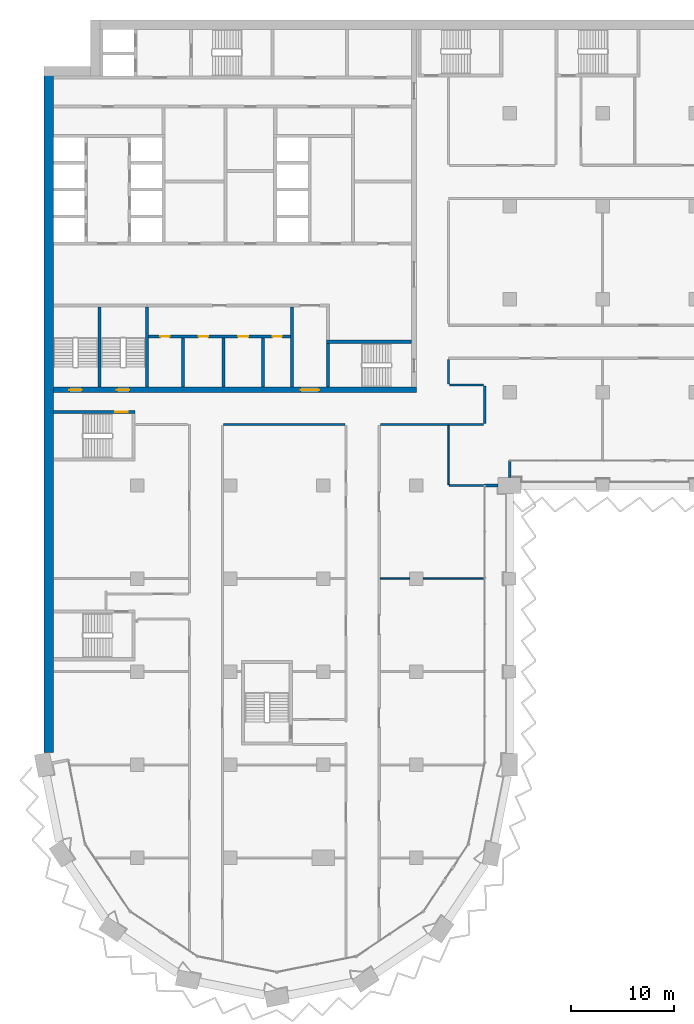
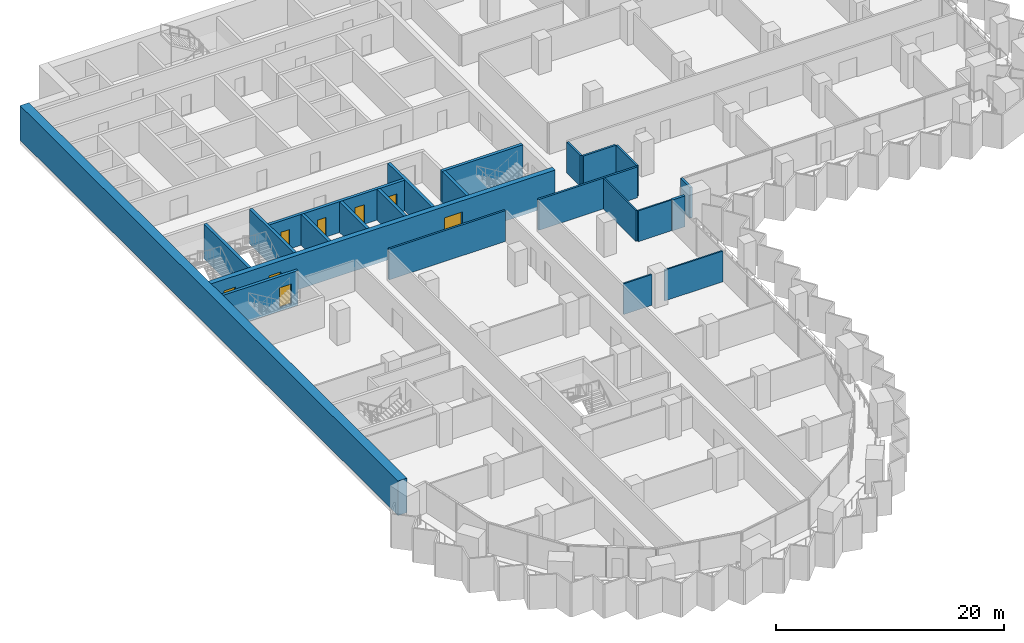
# One storey, part 11 of 22: 23 walls, 8 doors, 8 openings.
"""IFC4 building model written with IfcOpenShell, lengths in metres."""

from ifc_helpers import new_model, si_unit, direction, frame, frame_2d, origin, place, context, subcontext, project, spatial, rectangle, extrude, material, layer, layer_set, type_object, element, fill, save


model = new_model("IFC4")

# Units and contexts
model_context = context("Model", 3, precision=1e-05, world=origin(), true_north=direction((0.0, 1.0)))
body_context = subcontext(model_context, "Body", "Model", "MODEL_VIEW")
ifc_project = project(units=[si_unit("LENGTHUNIT", "METRE"), si_unit("AREAUNIT", "SQUARE_METRE"), si_unit("VOLUMEUNIT", "CUBIC_METRE"), si_unit("PLANEANGLEUNIT", "RADIAN"), si_unit("MASSUNIT", "GRAM", prefix="KILO")], contexts=[model_context])

# Site, building, storey
site_placement = place(None, origin())
site = spatial("IfcSite", under=ifc_project, at=site_placement, CompositionType="ELEMENT")
building_placement = place(site_placement, origin())
building = spatial("IfcBuilding", under=site, at=building_placement, Name="Hunhe Ridgeline Campus", CompositionType="ELEMENT")
storey_placement = place(building_placement, frame((0.0, 0.0, 114.39990234375)))
storey = spatial("IfcBuildingStorey", under=building, at=storey_placement, Name="L28", CompositionType="ELEMENT", Elevation=114.39990234375)

# Wall, openings, doors
ifc_material_1 = material(Name="Masonry concrete blockwork", Category="masonry")
ifc_layer_1 = layer(ifc_material_1, 0.300048828125)
ifc_layer_set_1 = layer_set([ifc_layer_1], Name="Core room partition 300 concrete block")
wall_type_1 = type_object("IfcWallType", Name="Core room partition 300 concrete block", PredefinedType="PARTITIONING", material=ifc_layer_set_1)
wall_1_placement = place(storey_placement, frame((10.10009765625, 68.39990234375, 0.0), z_axis=(0.0, 0.0, 1.0), x_axis=(1.0, 0.0, 0.0)))
wall_1 = element("IfcWall", 1, at=wall_1_placement, inside=storey, type_object=wall_type_1, Name="L28 core partition 9", PredefinedType="PARTITIONING", context=body_context, shape_type="SweptSolid", body=[
    extrude(rectangle(XDim=13.699951171875, YDim=0.300048828125, at=frame_2d((6.85009765625, 0.0))), origin(), (0.0, 0.0, 1.0), 3.300048828125),
])
opening_1_placement = place(wall_1_placement, frame((1.14990234375, 0.0, 0.0)))
opening_1 = element("IfcOpeningElement", 2, at=opening_1_placement, cuts=wall_1, Name="Opening CD8", PredefinedType="OPENING", context=body_context, shape_type="SweptSolid", body=[
    extrude(rectangle(XDim=0.89990234375, YDim=2.10009765625, at=frame_2d((0.449951171875, 1.050048828125))), frame((0.0, 0.14990234375, 0.0), z_axis=(0.0, -1.0, 0.0), x_axis=(1.0, 0.0, 0.0)), (0.0, 0.0, 1.0), 0.300048828125),
])
opening_2_placement = place(wall_1_placement, frame((4.85009765625, 0.0, 0.0)))
opening_2 = element("IfcOpeningElement", 3, at=opening_2_placement, cuts=wall_1, Name="Opening CD9", PredefinedType="OPENING", context=body_context, shape_type="SweptSolid", body=[
    extrude(rectangle(XDim=0.89990234375, YDim=2.10009765625, at=frame_2d((0.449951171875, 1.050048828125))), frame((0.0, 0.14990234375, 0.0), z_axis=(0.0, -1.0, 0.0), x_axis=(1.0, 0.0, 0.0)), (0.0, 0.0, 1.0), 0.300048828125),
])
opening_3_placement = place(wall_1_placement, frame((8.64990234375, 0.0, 0.0)))
opening_3 = element("IfcOpeningElement", 4, at=opening_3_placement, cuts=wall_1, Name="Opening CD10", PredefinedType="OPENING", context=body_context, shape_type="SweptSolid", body=[
    extrude(rectangle(XDim=1.0, YDim=2.10009765625, at=frame_2d((0.5, 1.050048828125))), frame((0.0, 0.14990234375, 0.0), z_axis=(0.0, -1.0, 0.0), x_axis=(1.0, 0.0, 0.0)), (0.0, 0.0, 1.0), 0.300048828125),
])
opening_4_placement = place(wall_1_placement, frame((12.0, 0.0, 0.0)))
opening_4 = element("IfcOpeningElement", 5, at=opening_4_placement, cuts=wall_1, Name="Opening CD11", PredefinedType="OPENING", context=body_context, shape_type="SweptSolid", body=[
    extrude(rectangle(XDim=0.89990234375, YDim=2.10009765625, at=frame_2d((0.449951171875, 1.050048828125))), frame((0.0, 0.14990234375, 0.0), z_axis=(0.0, -1.0, 0.0), x_axis=(1.0, 0.0, 0.0)), (0.0, 0.0, 1.0), 0.300048828125),
])
ifc_material_2 = material(Name="Solid core timber door leaf", Category="wood")
door_type_1 = type_object("IfcDoorType", Name="Timber door 1000x2100", OperationType="SINGLE_SWING_LEFT", PredefinedType="DOOR", material=ifc_material_2)
door_1_placement = place(opening_3_placement, frame((1.0, 0.0, 0.0), z_axis=(0.0, 0.0, 1.0), x_axis=(-1.0, 0.0, 0.0)))
door_1 = element("IfcDoor", 6, at=door_1_placement, inside=storey, type_object=door_type_1, Name="L28 door WC3", OperationType="SINGLE_SWING_RIGHT", OverallHeight=2.10009765625, OverallWidth=1.0, PredefinedType="DOOR", context=body_context, shape_type="SweptSolid", body=[
    extrude(rectangle(XDim=1.0, YDim=2.10009765625, at=frame_2d((0.5, 1.050048828125))), frame((0.0, 0.02490234375, 0.0), z_axis=(0.0, -1.0, 0.0), x_axis=(1.0, 0.0, 0.0)), (0.0, 0.0, 1.0), 0.050048828125),
])
fill(opening_3, door_1)
door_type_2 = type_object("IfcDoorType", Name="Timber door 900x2100", OperationType="SINGLE_SWING_LEFT", PredefinedType="DOOR", material=ifc_material_2)
door_2_placement = place(opening_1_placement, frame((0.89990234375, 0.0, 0.0), z_axis=(0.0, 0.0, 1.0), x_axis=(-1.0, 0.0, 0.0)))
door_2 = element("IfcDoor", 7, at=door_2_placement, inside=storey, type_object=door_type_2, Name="L28 door WC1", OperationType="SINGLE_SWING_RIGHT", OverallHeight=2.10009765625, OverallWidth=0.89990234375, PredefinedType="DOOR", context=body_context, shape_type="SweptSolid", body=[
    extrude(rectangle(XDim=0.89990234375, YDim=2.10009765625, at=frame_2d((0.449951171875, 1.050048828125))), frame((0.0, 0.02490234375, 0.0), z_axis=(0.0, -1.0, 0.0), x_axis=(1.0, 0.0, 0.0)), (0.0, 0.0, 1.0), 0.050048828125),
])
fill(opening_1, door_2)
door_3_placement = place(opening_2_placement, frame((0.89990234375, 0.0, 0.0), z_axis=(0.0, 0.0, 1.0), x_axis=(-1.0, 0.0, 0.0)))
door_3 = element("IfcDoor", 8, at=door_3_placement, inside=storey, type_object=door_type_2, Name="L28 door WC2", OperationType="SINGLE_SWING_LEFT", OverallHeight=2.10009765625, OverallWidth=0.89990234375, PredefinedType="DOOR", context=body_context, shape_type="SweptSolid", body=[
    extrude(rectangle(XDim=0.89990234375, YDim=2.10009765625, at=frame_2d((0.449951171875, 1.050048828125))), frame((0.0, 0.02490234375, 0.0), z_axis=(0.0, -1.0, 0.0), x_axis=(1.0, 0.0, 0.0)), (0.0, 0.0, 1.0), 0.050048828125),
])
fill(opening_2, door_3)
door_4_placement = place(opening_4_placement, frame((0.89990234375, 0.0, 0.0), z_axis=(0.0, 0.0, 1.0), x_axis=(-1.0, 0.0, 0.0)))
door_4 = element("IfcDoor", 9, at=door_4_placement, inside=storey, type_object=door_type_2, Name="L28 door WC4", OperationType="SINGLE_SWING_LEFT", OverallHeight=2.10009765625, OverallWidth=0.89990234375, PredefinedType="DOOR", context=body_context, shape_type="SweptSolid", body=[
    extrude(rectangle(XDim=0.89990234375, YDim=2.10009765625, at=frame_2d((0.449951171875, 1.050048828125))), frame((0.0, 0.02490234375, 0.0), z_axis=(0.0, -1.0, 0.0), x_axis=(1.0, 0.0, 0.0)), (0.0, 0.0, 1.0), 0.050048828125),
])
fill(opening_4, door_4)

# Walls
for number, where, z_axis, x_axis, name in (
    (10, (13.449951171875, 63.5, 0.0), (0.0, 0.0, 1.0), (0.0, 1.0, 0.0), "L28 core partition 44"),
    (11, (17.35009765625, 63.5, 0.0), (0.0, 0.0, 1.0), (0.0, 1.0, 0.0), "L28 core partition 46"),
    (12, (21.14990234375, 63.5, 0.0), (0.0, 0.0, 1.0), (0.0, 1.0, 0.0), "L28 core partition 49"),
):
    element("IfcWall", number, at=place(storey_placement, frame(where, z_axis=z_axis, x_axis=x_axis)), inside=storey, type_object=wall_type_1, Name=name, PredefinedType="PARTITIONING", context=body_context, shape_type="SweptSolid", body=[
        extrude(rectangle(XDim=4.75, YDim=0.300048828125, at=frame_2d((2.375, 0.0))), origin(), (0.0, 0.0, 1.0), 3.300048828125),
    ])
wall_2_placement = place(storey_placement, frame((23.949951171875, 63.5, 0.0), z_axis=(0.0, 0.0, 1.0), x_axis=(0.0, 1.0, 0.0)))
element("IfcWall", 13, at=wall_2_placement, inside=storey, type_object=wall_type_1, Name="L28 core partition 54", PredefinedType="PARTITIONING", context=body_context, shape_type="SweptSolid", body=[
    extrude(rectangle(XDim=7.75, YDim=0.300048828125, at=frame_2d((3.875, 0.0))), origin(), (0.0, 0.0, 1.0), 3.300048828125),
])

# Wall, openings, doors
ifc_material_3 = material(Name="Concrete C80", Category="concrete")
ifc_layer_2 = layer(ifc_material_3, 0.5)
ifc_layer_set_2 = layer_set([ifc_layer_2], Name="Core wall 500 reinforced concrete C80")
wall_type_2 = type_object("IfcWallType", Name="Core wall 500 reinforced concrete C80", PredefinedType="SOLIDWALL", material=ifc_layer_set_2)
wall_3_placement = place(storey_placement, frame((0.89990234375, 63.25, -0.39990234375), z_axis=(0.0, 0.0, 1.0), x_axis=(1.0, 0.0, 0.0)))
wall_3 = element("IfcWall", 14, at=wall_3_placement, inside=storey, type_object=wall_type_2, Name="L28 core wall 7", PredefinedType="SOLIDWALL", context=body_context, shape_type="SweptSolid", body=[
    extrude(rectangle(XDim=35.10009765625, YDim=0.5, at=frame_2d((17.550048828125, 0.0))), origin(), (0.0, 0.0, 1.0), 3.699951171875),
])
opening_5_placement = place(wall_3_placement, frame((23.89990234375, 0.0, 0.39990234375)))
opening_5 = element("IfcOpeningElement", 15, at=opening_5_placement, cuts=wall_3, Name="Opening CD6", PredefinedType="OPENING", context=body_context, shape_type="SweptSolid", body=[
    extrude(rectangle(XDim=1.800048828125, YDim=2.10009765625, at=frame_2d((0.89990234375, 1.050048828125))), frame((0.0, 0.25, 0.0), z_axis=(0.0, -1.0, 0.0), x_axis=(1.0, 0.0, 0.0)), (0.0, 0.0, 1.0), 0.5),
])
opening_6_placement = place(wall_3_placement, frame((1.550048828125, 0.0, 0.39990234375)))
opening_6 = element("IfcOpeningElement", 16, at=opening_6_placement, cuts=wall_3, Name="Opening CD13", PredefinedType="OPENING", context=body_context, shape_type="SweptSolid", body=[
    extrude(rectangle(XDim=1.199951171875, YDim=2.10009765625, at=frame_2d((0.60009765625, 1.050048828125))), frame((0.0, 0.25, 0.0), z_axis=(0.0, -1.0, 0.0), x_axis=(1.0, 0.0, 0.0)), (0.0, 0.0, 1.0), 0.5),
])
opening_7_placement = place(wall_3_placement, frame((6.14990234375, 0.0, 0.39990234375)))
opening_7 = element("IfcOpeningElement", 17, at=opening_7_placement, cuts=wall_3, Name="Opening CD14", PredefinedType="OPENING", context=body_context, shape_type="SweptSolid", body=[
    extrude(rectangle(XDim=1.199951171875, YDim=2.10009765625, at=frame_2d((0.60009765625, 1.050048828125))), frame((0.0, 0.25, 0.0), z_axis=(0.0, -1.0, 0.0), x_axis=(1.0, 0.0, 0.0)), (0.0, 0.0, 1.0), 0.5),
])
ifc_material_4 = material(Name="Anodised aluminium and glass", Category="aluminium")
door_type_3 = type_object("IfcDoorType", Name="Glazed double door 1800x2100", OperationType="DOUBLE_DOOR_SINGLE_SWING", PredefinedType="DOOR", material=ifc_material_4)
door_5_placement = place(opening_5_placement, frame((1.800048828125, 0.0, 0.0), z_axis=(0.0, 0.0, 1.0), x_axis=(-1.0, 0.0, 0.0)))
door_5 = element("IfcDoor", 18, at=door_5_placement, inside=storey, type_object=door_type_3, Name="L28 door VEST-FLOOR", OperationType="DOUBLE_DOOR_SINGLE_SWING", OverallHeight=2.10009765625, OverallWidth=1.800048828125, PredefinedType="DOOR", context=body_context, shape_type="SweptSolid", body=[
    extrude(rectangle(XDim=1.800048828125, YDim=2.10009765625, at=frame_2d((0.89990234375, 1.050048828125))), frame((0.0, 0.02490234375, 0.0), z_axis=(0.0, -1.0, 0.0), x_axis=(1.0, 0.0, 0.0)), (0.0, 0.0, 1.0), 0.050048828125),
])
fill(opening_5, door_5)
ifc_material_5 = material(Name="Hollow metal fire door leaf")
door_type_4 = type_object("IfcDoorType", Name="Stair door 1200x2100 FD60", OperationType="SINGLE_SWING_LEFT", PredefinedType="DOOR", material=ifc_material_5)
door_6_placement = place(opening_6_placement, frame((1.199951171875, 0.0, 0.0), z_axis=(0.0, 0.0, 1.0), x_axis=(-1.0, 0.0, 0.0)))
door_6 = element("IfcDoor", 19, at=door_6_placement, inside=storey, type_object=door_type_4, Name="L28 door S3", OperationType="SINGLE_SWING_RIGHT", OverallHeight=2.10009765625, OverallWidth=1.199951171875, PredefinedType="DOOR", context=body_context, shape_type="SweptSolid", body=[
    extrude(rectangle(XDim=1.199951171875, YDim=2.10009765625, at=frame_2d((0.60009765625, 1.050048828125))), frame((0.0, 0.02490234375, 0.0), z_axis=(0.0, -1.0, 0.0), x_axis=(1.0, 0.0, 0.0)), (0.0, 0.0, 1.0), 0.050048828125),
])
fill(opening_6, door_6)
door_7_placement = place(opening_7_placement, frame((1.199951171875, 0.0, 0.0), z_axis=(0.0, 0.0, 1.0), x_axis=(-1.0, 0.0, 0.0)))
door_7 = element("IfcDoor", 20, at=door_7_placement, inside=storey, type_object=door_type_4, Name="L28 door S4", OperationType="SINGLE_SWING_LEFT", OverallHeight=2.10009765625, OverallWidth=1.199951171875, PredefinedType="DOOR", context=body_context, shape_type="SweptSolid", body=[
    extrude(rectangle(XDim=1.199951171875, YDim=2.10009765625, at=frame_2d((0.60009765625, 1.050048828125))), frame((0.0, 0.02490234375, 0.0), z_axis=(0.0, -1.0, 0.0), x_axis=(1.0, 0.0, 0.0)), (0.0, 0.0, 1.0), 0.050048828125),
])
fill(opening_7, door_7)

# Walls
ifc_material_6 = material(Name="Concrete C30", Category="concrete")
ifc_layer_3 = layer(ifc_material_6, 0.25)
ifc_layer_set_3 = layer_set([ifc_layer_3], Name="Corner return wall 250 Concrete C30")
wall_type_3 = type_object("IfcWallType", Name="Corner return wall 250 Concrete C30", PredefinedType="SOLIDWALL", material=ifc_layer_set_3)
wall_4_placement = place(storey_placement, frame((42.599365234375, 54.000732421875, 0.0), z_axis=(0.0, 0.0, 1.0), x_axis=(0.99999998238, 0.000187722918, 0.0)))
element("IfcWall", 21, at=wall_4_placement, inside=storey, type_object=wall_type_3, Name="Corner return wall 2", PredefinedType="SOLIDWALL", context=body_context, shape_type="SweptSolid", body=[
    extrude(rectangle(XDim=1.300537109375, YDim=0.25, at=frame_2d((0.650390625, 0.0))), origin(), (0.0, 0.0, 1.0), 3.300048828125),
])
wall_5_placement = place(storey_placement, frame((44.999267578125, 54.75, 0.0), z_axis=(0.0, 0.0, 1.0), x_axis=(0.000443655679, 0.999999901585, 0.0)))
element("IfcWall", 22, at=wall_5_placement, inside=storey, type_object=wall_type_3, Name="Corner return wall 3", PredefinedType="SOLIDWALL", context=body_context, shape_type="SweptSolid", body=[
    extrude(rectangle(XDim=1.65087890625, YDim=0.25, at=frame_2d((0.825439453125, 0.0))), origin(), (0.0, 0.0, 1.0), 3.300048828125),
])
ifc_material_7 = material(Name="Gypsum board partition")
ifc_layer_4 = layer(ifc_material_7, 0.199951171875)
ifc_layer_set_4 = layer_set([ifc_layer_4], Name="Corridor partition 200 gypsum board on steel studs")
wall_type_4 = type_object("IfcWallType", Name="Corridor partition 200 gypsum board on steel studs", PredefinedType="PARTITIONING", material=ifc_layer_set_4)
wall_6_placement = place(storey_placement, frame((29.10009765625, 59.89990234375, 0.0), z_axis=(0.0, 0.0, 1.0), x_axis=(-1.0, 0.0, 0.0)))
element("IfcWall", 23, at=wall_6_placement, inside=storey, type_object=wall_type_4, Name="F-L28-wall-032", PredefinedType="PARTITIONING", context=body_context, shape_type="SweptSolid", body=[
    extrude(rectangle(XDim=11.75, YDim=0.199951171875, at=frame_2d((5.875, 0.0))), origin(), (0.0, 0.0, 1.0), 3.300048828125),
])
wall_7_placement = place(storey_placement, frame((42.5, 59.89990234375, 0.0), z_axis=(0.0, 0.0, 1.0), x_axis=(-1.0, 0.0, 0.0)))
element("IfcWall", 24, at=wall_7_placement, inside=storey, type_object=wall_type_4, Name="F-L28-wall-033", PredefinedType="PARTITIONING", context=body_context, shape_type="SweptSolid", body=[
    extrude(rectangle(XDim=10.0, YDim=0.199951171875, at=frame_2d((5.0, 0.0))), origin(), (0.0, 0.0, 1.0), 3.300048828125),
])
wall_8_placement = place(storey_placement, frame((39.199951171875, 63.699951171875, 0.0), z_axis=(0.0, 0.0, 1.0), x_axis=(1.0, 0.0, 0.0)))
element("IfcWall", 25, at=wall_8_placement, inside=storey, type_object=wall_type_4, Name="F-L28-wall-034", PredefinedType="PARTITIONING", context=body_context, shape_type="SweptSolid", body=[
    extrude(rectangle(XDim=3.300048828125, YDim=0.199951171875, at=frame_2d((1.64990234375, 0.0))), origin(), (0.0, 0.0, 1.0), 3.300048828125),
])
wall_9_placement = place(storey_placement, frame((39.10009765625, 66.174560546875, 0.0), z_axis=(0.0, 0.0, 1.0), x_axis=(0.0, -1.0, 0.0)))
element("IfcWall", 26, at=wall_9_placement, inside=storey, type_object=wall_type_4, Name="F-L28-wall-050", PredefinedType="PARTITIONING", context=body_context, shape_type="SweptSolid", body=[
    extrude(rectangle(XDim=2.37451171875, YDim=0.199951171875, at=frame_2d((1.187255859375, 0.0))), origin(), (0.0, 0.0, 1.0), 3.300048828125),
])
wall_10_placement = place(storey_placement, frame((42.60009765625, 63.60009765625, 0.0), z_axis=(0.0, 0.0, 1.0), x_axis=(0.0, -1.0, 0.0)))
element("IfcWall", 27, at=wall_10_placement, inside=storey, type_object=wall_type_4, Name="F-L28-wall-053", PredefinedType="PARTITIONING", context=body_context, shape_type="SweptSolid", body=[
    extrude(rectangle(XDim=3.60009765625, YDim=0.199951171875, at=frame_2d((1.800048828125, 0.0))), origin(), (0.0, 0.0, 1.0), 3.300048828125),
])
ifc_layer_5 = layer(ifc_material_7, 0.14990234375)
ifc_layer_set_5 = layer_set([ifc_layer_5], Name="Room partition 150 gypsum board on steel studs")
wall_type_5 = type_object("IfcWallType", Name="Room partition 150 gypsum board on steel studs", PredefinedType="PARTITIONING", material=ifc_layer_set_5)
wall_11_placement = place(storey_placement, frame((32.5, 45.0, 0.0), z_axis=(0.0, 0.0, 1.0), x_axis=(1.0, 0.0, 0.0)))
element("IfcWall", 28, at=wall_11_placement, inside=storey, type_object=wall_type_5, Name="F-L28-wall-028", PredefinedType="PARTITIONING", context=body_context, shape_type="SweptSolid", body=[
    extrude(rectangle(XDim=2.85009765625, YDim=0.14990234375, at=frame_2d((1.425048828125, 0.0))), origin(), (0.0, 0.0, 1.0), 3.300048828125),
])
wall_12_placement = place(storey_placement, frame((36.64990234375, 45.0, 0.0), z_axis=(0.0, 0.0, 1.0), x_axis=(1.0, 0.0, 0.0)))
element("IfcWall", 29, at=wall_12_placement, inside=storey, type_object=wall_type_5, Name="F-L28-wall-029", PredefinedType="PARTITIONING", context=body_context, shape_type="SweptSolid", body=[
    extrude(rectangle(XDim=5.895263671875, YDim=0.14990234375, at=frame_2d((2.94775390625, 0.0))), origin(), (0.0, 0.0, 1.0), 3.300048828125),
])
wall_13_placement = place(storey_placement, frame((39.175048828125, 54.0, 0.0), z_axis=(0.0, 0.0, 1.0), x_axis=(1.0, 0.0, 0.0)))
element("IfcWall", 30, at=wall_13_placement, inside=storey, type_object=wall_type_5, Name="F-L28-wall-030", PredefinedType="PARTITIONING", context=body_context, shape_type="SweptSolid", body=[
    extrude(rectangle(XDim=3.370361328125, YDim=0.14990234375, at=frame_2d((1.68505859375, 0.0))), origin(), (0.0, 0.0, 1.0), 3.300048828125),
])
wall_14_placement = place(storey_placement, frame((39.10009765625, 59.800048828125, 0.0), z_axis=(0.0, 0.0, 1.0), x_axis=(0.0, -1.0, 0.0)))
element("IfcWall", 31, at=wall_14_placement, inside=storey, type_object=wall_type_5, Name="F-L28-wall-049", PredefinedType="PARTITIONING", context=body_context, shape_type="SweptSolid", body=[
    extrude(rectangle(XDim=5.72509765625, YDim=0.14990234375, at=frame_2d((2.862548828125, 0.0))), origin(), (0.0, 0.0, 1.0), 3.300048828125),
])
ifc_material_8 = material(Name="Concrete C70", Category="concrete")
ifc_layer_6 = layer(ifc_material_8, 0.89990234375)
ifc_layer_set_6 = layer_set([ifc_layer_6], Name="Spine wall 900 Concrete C70")
wall_type_6 = type_object("IfcWallType", Name="Spine wall 900 Concrete C70", PredefinedType="SHEAR", material=ifc_layer_set_6)
wall_15_placement = place(storey_placement, frame((0.449951171875, 94.5, 0.0), z_axis=(0.0, 0.0, 1.0), x_axis=(0.0, -1.0, 0.0)))
element("IfcWall", 32, at=wall_15_placement, inside=storey, type_object=wall_type_6, Name="Spine wall SW2-1 L28", PredefinedType="SHEAR", context=body_context, shape_type="SweptSolid", body=[
    extrude(rectangle(XDim=66.288818359375, YDim=0.89990234375, at=frame_2d((33.14453125, 0.0))), origin(), (0.0, 0.0, 1.0), 3.7001953125),
])

# Wall, opening, door
ifc_layer_7 = layer(ifc_material_3, 0.300048828125)
ifc_layer_set_7 = layer_set([ifc_layer_7], Name="Stair wall 300 reinforced concrete C80")
wall_type_7 = type_object("IfcWallType", Name="Stair wall 300 reinforced concrete C80", PredefinedType="SOLIDWALL", material=ifc_layer_set_7)
wall_16_placement = place(storey_placement, frame((0.89990234375, 61.10009765625, -0.39990234375), z_axis=(0.0, 0.0, 1.0), x_axis=(1.0, 0.0, 0.0)))
wall_16 = element("IfcWall", 33, at=wall_16_placement, inside=storey, type_object=wall_type_7, Name="L28 core wall 6", PredefinedType="SOLIDWALL", context=body_context, shape_type="SweptSolid", body=[
    extrude(rectangle(XDim=7.900146484375, YDim=0.300048828125, at=frame_2d((3.9501953125, 0.0))), origin(), (0.0, 0.0, 1.0), 3.699951171875),
])
opening_8_placement = place(wall_16_placement, frame((6.0, 0.0, 0.39990234375)))
opening_8 = element("IfcOpeningElement", 34, at=opening_8_placement, cuts=wall_16, Name="Opening CD22", PredefinedType="OPENING", context=body_context, shape_type="SweptSolid", body=[
    extrude(rectangle(XDim=1.199951171875, YDim=2.10009765625, at=frame_2d((0.60009765625, 1.050048828125))), frame((0.0, 0.14990234375, 0.0), z_axis=(0.0, -1.0, 0.0), x_axis=(1.0, 0.0, 0.0)), (0.0, 0.0, 1.0), 0.300048828125),
])
door_8_placement = place(opening_8_placement, origin())
door_8 = element("IfcDoor", 35, at=door_8_placement, inside=storey, type_object=door_type_4, Name="L28 door W2", OperationType="SINGLE_SWING_LEFT", OverallHeight=2.10009765625, OverallWidth=1.199951171875, PredefinedType="DOOR", context=body_context, shape_type="SweptSolid", body=[
    extrude(rectangle(XDim=1.199951171875, YDim=2.10009765625, at=frame_2d((0.60009765625, 1.050048828125))), frame((0.0, 0.02490234375, 0.0), z_axis=(0.0, -1.0, 0.0), x_axis=(1.0, 0.0, 0.0)), (0.0, 0.0, 1.0), 0.050048828125),
])
fill(opening_8, door_8)

# Walls
wall_17_placement = place(storey_placement, frame((27.300048828125, 67.89990234375, -0.39990234375), z_axis=(0.0, 0.0, 1.0), x_axis=(1.0, 0.0, 0.0)))
element("IfcWall", 36, at=wall_17_placement, inside=storey, type_object=wall_type_7, Name="L28 core wall 8", PredefinedType="SOLIDWALL", context=body_context, shape_type="SweptSolid", body=[
    extrude(rectangle(XDim=8.199951171875, YDim=0.300048828125, at=frame_2d((4.10009765625, 0.0))), origin(), (0.0, 0.0, 1.0), 3.699951171875),
])
for number, where, z_axis, x_axis, name in (
    (37, (5.35009765625, 63.5, -0.39990234375), (0.0, 0.0, 1.0), (0.0, 1.0, 0.0), "L28 core wall 35"),
    (38, (9.949951171875, 63.5, -0.39990234375), (0.0, 0.0, 1.0), (0.0, 1.0, 0.0), "L28 core wall 41"),
):
    element("IfcWall", number, at=place(storey_placement, frame(where, z_axis=z_axis, x_axis=x_axis)), inside=storey, type_object=wall_type_7, Name=name, PredefinedType="SOLIDWALL", context=body_context, shape_type="SweptSolid", body=[
        extrude(rectangle(XDim=7.75, YDim=0.300048828125, at=frame_2d((3.875, 0.0))), origin(), (0.0, 0.0, 1.0), 3.699951171875),
    ])
wall_18_placement = place(storey_placement, frame((27.449951171875, 63.5, -0.39990234375), z_axis=(0.0, 0.0, 1.0), x_axis=(0.0, 1.0, 0.0)))
element("IfcWall", 39, at=wall_18_placement, inside=storey, type_object=wall_type_7, Name="L28 core wall 56", PredefinedType="SOLIDWALL", context=body_context, shape_type="SweptSolid", body=[
    extrude(rectangle(XDim=4.25, YDim=0.300048828125, at=frame_2d((2.125, 0.0))), origin(), (0.0, 0.0, 1.0), 3.699951171875),
])

save(model, "model.ifc")
